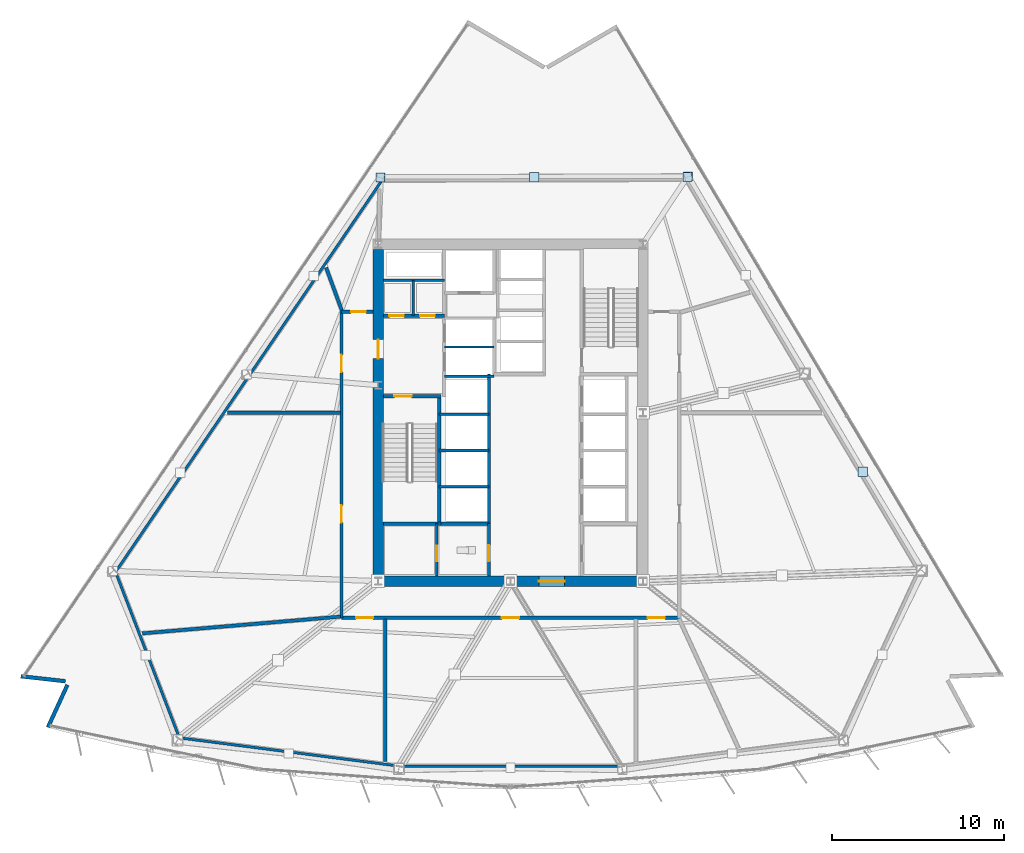
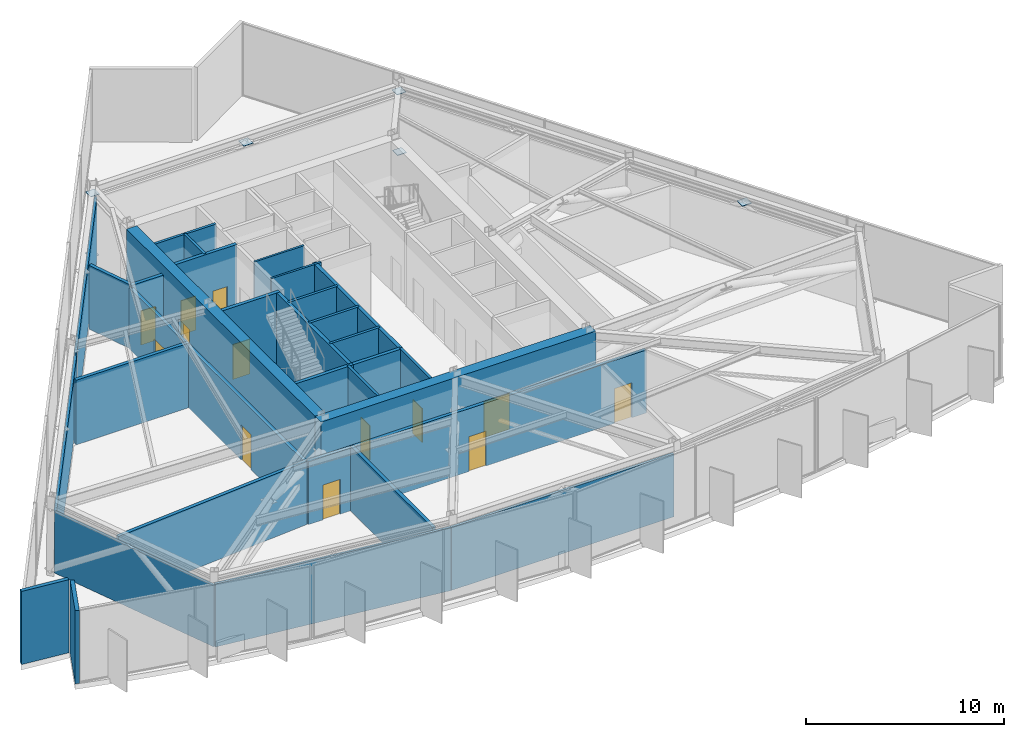
# One storey, part 9 of 16: 31 walls, 13 doors, 6 plates, 13 openings.
"""IFC4 building model written with IfcOpenShell, lengths in metres."""

from ifc_helpers import new_model, si_unit, direction, frame, frame_2d, origin, origin_2d, place, context, subcontext, project, spatial, rectangle, extrude, material, layer, layer_set, type_object, element, fill, save


model = new_model("IFC4")

# Units and contexts
model_context = context("Model", 3, precision=1e-05, world=origin(), true_north=direction((0.0, 1.0)))
body_context = subcontext(model_context, "Body", "Model", "MODEL_VIEW")
ifc_project = project(units=[si_unit("LENGTHUNIT", "METRE"), si_unit("AREAUNIT", "SQUARE_METRE"), si_unit("VOLUMEUNIT", "CUBIC_METRE"), si_unit("PLANEANGLEUNIT", "RADIAN"), si_unit("MASSUNIT", "GRAM", prefix="KILO")], contexts=[model_context])

# Site, building, storey
site_placement = place(None, origin())
site = spatial("IfcSite", under=ifc_project, at=site_placement, CompositionType="ELEMENT")
building_placement = place(site_placement, origin())
building = spatial("IfcBuilding", under=site, at=building_placement, Name="Savorim Split Tower", CompositionType="ELEMENT")
storey_placement = place(building_placement, frame((0.0, 0.0, 73.199951171875)))
storey = spatial("IfcBuildingStorey", under=building, at=storey_placement, Name="L19", CompositionType="ELEMENT", Elevation=73.199951171875)

# Plates
ifc_material_1 = material(Name="Steel S460", Category="steel")
ifc_layer_1 = layer(ifc_material_1, 0.028076171875)
ifc_layer_set_1 = layer_set([ifc_layer_1], Name="PLT-NODE-BN1")
plate_type = type_object("IfcPlateType", Name="PLT-NODE-BN1", PredefinedType="SHEET", material=ifc_layer_set_1)
for number, where, z_axis, x_axis, name in (
    (1, (20.49560546875, -3.035400390625, 4.01611328125), (0.0, 0.0, 1.0), (1.0, 0.0, 0.0), "L19 Belt Truss Apex Gusset Plate BN1-05"),
    (2, (1.37255859375, 14.09765625, 4.01611328125), (0.0, 0.0, 1.0), (1.0, 0.0, 0.0), "L19 Belt Truss Apex Gusset Plate BN1-07"),
):
    element("IfcPlate", number, at=place(storey_placement, frame(where, z_axis=z_axis, x_axis=x_axis)), inside=storey, type_object=plate_type, Name=name, PredefinedType="SHEET", context=body_context, shape_type="SweptSolid", body=[
        extrude(rectangle(XDim=0.550048828125, YDim=0.550048828125, at=origin_2d()), origin(), (0.0, 0.0, 1.0), 0.028076171875),
    ])
for number, where, z_axis, x_axis, name in (
    (3, (10.334228515625, 14.131103515625, 0.26611328125), (0.0, 0.0, 1.0), (1.0, 0.0, 0.0), "L19 Belt Truss Base Gusset Plate BNB-07"),
    (4, (10.30029296875, 14.12353515625, 4.01611328125), (0.0, 0.0, 1.0), (1.0, 0.0, 0.0), "L19 Belt Truss Chord Gusset Plate BCH-07"),
    (5, (-7.578857421875, 14.082275390625, 0.26611328125), (0.0, 0.0, 1.0), (1.0, 0.0, 0.0), "L19 Belt Truss Base Gusset Plate BNB-08"),
    (6, (-7.5537109375, 14.07470703125, 4.01611328125), (0.0, 0.0, 1.0), (1.0, 0.0, 0.0), "L19 Belt Truss Chord Gusset Plate BCH-08"),
):
    element("IfcPlate", number, at=place(storey_placement, frame(where, z_axis=z_axis, x_axis=x_axis)), inside=storey, type_object=plate_type, Name=name, PredefinedType="SHEET", context=body_context, shape_type="SweptSolid", body=[
        extrude(rectangle(XDim=0.52001953125, YDim=0.52001953125, at=origin_2d()), origin(), (0.0, 0.0, 1.0), 0.028076171875),
    ])

# Wall, opening, door
ifc_material_2 = material(Name="Concrete C60/75", Category="concrete")
ifc_layer_2 = layer(ifc_material_2, 0.60009765625)
ifc_layer_set_2 = layer_set([ifc_layer_2], Name="WAL-COR-SH600")
wall_type_1 = type_object("IfcWallType", Name="WAL-COR-SH600", PredefinedType="SHEAR", material=ifc_layer_set_2)
wall_1_placement = place(storey_placement, frame((-8.0, -9.39990234375, 0.0), z_axis=(0.0, 0.0, 1.0), x_axis=(1.0, 0.0, 0.0)))
wall_1 = element("IfcWall", 7, at=wall_1_placement, inside=storey, type_object=wall_type_1, Name="L19 Offset Core South Shear Wall", PredefinedType="SHEAR", context=body_context, shape_type="SweptSolid", body=[
    extrude(rectangle(XDim=16.0, YDim=0.60009765625, at=frame_2d((8.0, 0.0))), origin(), (0.0, 0.0, 1.0), 4.5),
])
opening_1_placement = place(wall_1_placement, frame((9.64990234375, 0.0, 0.0)))
opening_1 = element("IfcOpeningElement", 8, at=opening_1_placement, cuts=wall_1, Name="Opening DI-02", PredefinedType="OPENING", context=body_context, shape_type="SweptSolid", body=[
    extrude(rectangle(XDim=1.5, YDim=2.199951171875, at=frame_2d((0.75, 1.10009765625))), frame((0.0, 0.31005859375, 0.0), z_axis=(0.0, -1.0, 0.0), x_axis=(1.0, 0.0, 0.0)), (0.0, 0.0, 1.0), 0.6201171875),
])
ifc_material_3 = material(Name="Timber Fire Door Leaf", Category="wood")
door_type_1 = type_object("IfcDoorType", Name="DOR-DBL-1500", OperationType="NOTDEFINED", PredefinedType="DOOR", material=ifc_material_3)
door_1_placement = place(opening_1_placement, origin())
door_1 = element("IfcDoor", 9, at=door_1_placement, inside=storey, type_object=door_type_1, Name="DOR-L19-COR-LLOB - L19 Lift Lobby Main Rated Door", OperationType="DOUBLE_DOOR_SINGLE_SWING", OverallHeight=2.199951171875, OverallWidth=1.5, PredefinedType="DOOR", context=body_context, shape_type="SweptSolid", body=[
    extrude(rectangle(XDim=1.5, YDim=2.199951171875, at=frame_2d((0.75, 1.10009765625))), frame((0.0, 0.02490234375, 0.0), z_axis=(0.0, -1.0, 0.0), x_axis=(1.0, 0.0, 0.0)), (0.0, 0.0, 1.0), 0.050048828125),
])
fill(opening_1, door_1)

wall_2_placement = place(storey_placement, frame((-7.699951171875, -9.10009765625, 0.0), z_axis=(0.0, 0.0, 1.0), x_axis=(0.0, 1.0, 0.0)))
wall_2 = element("IfcWall", 10, at=wall_2_placement, inside=storey, type_object=wall_type_1, Name="L19 Offset Core West Shear Wall", PredefinedType="SHEAR", context=body_context, shape_type="SweptSolid", body=[
    extrude(rectangle(XDim=19.0, YDim=0.60009765625, at=frame_2d((9.5, 0.0))), origin(), (0.0, 0.0, 1.0), 4.5),
])
opening_2_placement = place(wall_2_placement, frame((12.64990234375, 0.0, 0.0)))
opening_2 = element("IfcOpeningElement", 11, at=opening_2_placement, cuts=wall_2, Name="Opening DI-03", PredefinedType="OPENING", context=body_context, shape_type="SweptSolid", body=[
    extrude(rectangle(XDim=1.10009765625, YDim=2.14990234375, at=frame_2d((0.550048828125, 1.074951171875))), frame((0.0, 0.31005859375, 0.0), z_axis=(0.0, -1.0, 0.0), x_axis=(1.0, 0.0, 0.0)), (0.0, 0.0, 1.0), 0.6201171875),
])
door_type_2 = type_object("IfcDoorType", Name="DOR-FIR-1100", OperationType="NOTDEFINED", PredefinedType="DOOR", material=ifc_material_3)
door_2_placement = place(opening_2_placement, origin())
door_2 = element("IfcDoor", 12, at=door_2_placement, inside=storey, type_object=door_type_2, Name="DOR-L19-COR-FFLOB - L19 Firefighting Lobby Corridor Door", OperationType="SINGLE_SWING_LEFT", OverallHeight=2.14990234375, OverallWidth=1.10009765625, PredefinedType="DOOR", context=body_context, shape_type="SweptSolid", body=[
    extrude(rectangle(XDim=1.10009765625, YDim=2.14990234375, at=frame_2d((0.550048828125, 1.074951171875))), frame((0.0, 0.02490234375, 0.0), z_axis=(0.0, -1.0, 0.0), x_axis=(1.0, 0.0, 0.0)), (0.0, 0.0, 1.0), 0.050048828125),
])
fill(opening_2, door_2)

# Walls
ifc_material_4 = material(Name="Precast concrete C40/50", Category="concrete")
ifc_layer_3 = layer(ifc_material_4, 0.219970703125)
ifc_layer_set_3 = layer_set([ifc_layer_3], Name="WAL-EXT-CRN220")
wall_type_2 = type_object("IfcWallType", Name="WAL-EXT-CRN220", PredefinedType="SOLIDWALL", material=ifc_layer_set_3)
wall_3_placement = place(storey_placement, frame((-25.89794921875, -15.223388671875, 0.0), z_axis=(0.0, 0.0, 1.0), x_axis=(-0.993827522589, 0.110936267041, 0.0)))
element("IfcWall", 13, at=wall_3_placement, inside=storey, type_object=wall_type_2, Name="L19 Notched Corner Facade Wall SW1", PredefinedType="SOLIDWALL", context=body_context, shape_type="SweptSolid", body=[
    extrude(rectangle(XDim=2.601318359375, YDim=0.219970703125, at=frame_2d((1.30078125, 0.0))), origin(), (0.0, 0.0, 1.0), 4.5),
])
wall_4_placement = place(storey_placement, frame((-26.9111328125, -17.89697265625, 0.0), z_axis=(0.0, 0.0, 1.0), x_axis=(0.417504190978, 0.908674997189, 0.0)))
element("IfcWall", 14, at=wall_4_placement, inside=storey, type_object=wall_type_2, Name="L19 Notched Corner Facade Wall SW", PredefinedType="SOLIDWALL", context=body_context, shape_type="SweptSolid", body=[
    extrude(rectangle(XDim=2.7109375, YDim=0.219970703125, at=frame_2d((1.35546875, 0.0))), origin(), (0.0, 0.0, 1.0), 4.5),
])

# Wall, opening, door
ifc_material_5 = material(Name="Concrete C50/60", Category="concrete")
ifc_layer_4 = layer(ifc_material_5, 0.199951171875)
ifc_layer_set_4 = layer_set([ifc_layer_4], Name="WAL-INT-RC200")
wall_type_3 = type_object("IfcWallType", Name="WAL-INT-RC200", PredefinedType="SOLIDWALL", material=ifc_layer_set_4)
wall_5_placement = place(storey_placement, frame((-7.39990234375, 1.35009765625, 0.0), z_axis=(0.0, 0.0, 1.0), x_axis=(1.0, 0.0, 0.0)))
wall_5 = element("IfcWall", 15, at=wall_5_placement, inside=storey, type_object=wall_type_3, Name="L19 Structural Shaft Wall W-L19-CR01", PredefinedType="SOLIDWALL", context=body_context, shape_type="SweptSolid", body=[
    extrude(rectangle(XDim=3.349853515625, YDim=0.199951171875, at=frame_2d((1.6748046875, 0.0))), origin(), (0.0, 0.0, 1.0), 4.5),
])
opening_3_placement = place(wall_5_placement, frame((0.64990234375, 0.0, 0.0)))
opening_3 = element("IfcOpeningElement", 16, at=opening_3_placement, cuts=wall_5, Name="Opening DI-04", PredefinedType="OPENING", context=body_context, shape_type="SweptSolid", body=[
    extrude(rectangle(XDim=1.0, YDim=2.14990234375, at=frame_2d((0.5, 1.074951171875))), frame((0.0, 0.10986328125, 0.0), z_axis=(0.0, -1.0, 0.0), x_axis=(1.0, 0.0, 0.0)), (0.0, 0.0, 1.0), 0.219970703125),
])
door_type_3 = type_object("IfcDoorType", Name="DOR-FIR-1000", OperationType="NOTDEFINED", PredefinedType="DOOR", material=ifc_material_3)
door_3_placement = place(opening_3_placement, origin())
door_3 = element("IfcDoor", 17, at=door_3_placement, inside=storey, type_object=door_type_3, Name="DR-L19-ST1 - L19 Stair ST-1 Enclosure Door", OperationType="SINGLE_SWING_LEFT", OverallHeight=2.14990234375, OverallWidth=1.0, PredefinedType="DOOR", context=body_context, shape_type="SweptSolid", body=[
    extrude(rectangle(XDim=1.0, YDim=2.14990234375, at=frame_2d((0.5, 1.074951171875))), frame((0.0, 0.02490234375, 0.0), z_axis=(0.0, -1.0, 0.0), x_axis=(1.0, 0.0, 0.0)), (0.0, 0.0, 1.0), 0.050048828125),
])
fill(opening_3, door_3)

# Wall
wall_6_placement = place(storey_placement, frame((-4.14990234375, -5.949951171875, 0.0), z_axis=(0.0, 0.0, 1.0), x_axis=(0.0, 1.0, 0.0)))
element("IfcWall", 18, at=wall_6_placement, inside=storey, type_object=wall_type_3, Name="L19 Structural Shaft Wall W-L19-CR02", PredefinedType="SOLIDWALL", context=body_context, shape_type="SweptSolid", body=[
    extrude(rectangle(XDim=7.199951171875, YDim=0.199951171875, at=frame_2d((3.60009765625, 0.0))), origin(), (0.0, 0.0, 1.0), 4.5),
])

# Wall, openings, doors
wall_7_placement = place(storey_placement, frame((-7.39501953125, 6.050048828125, 0.0), z_axis=(0.0, 0.0, 1.0), x_axis=(1.0, 0.0, 0.0)))
wall_7 = element("IfcWall", 19, at=wall_7_placement, inside=storey, type_object=wall_type_3, Name="L19 Partition W-L19-CR04", PredefinedType="SOLIDWALL", context=body_context, shape_type="SweptSolid", body=[
    extrude(rectangle(XDim=3.544921875, YDim=0.199951171875, at=frame_2d((1.7724609375, 0.0))), origin(), (0.0, 0.0, 1.0), 4.5),
])
opening_4_placement = place(wall_7_placement, frame((0.344970703125, 0.0, 0.0)))
opening_4 = element("IfcOpeningElement", 20, at=opening_4_placement, cuts=wall_7, Name="Opening DI-12", PredefinedType="OPENING", context=body_context, shape_type="SweptSolid", body=[
    extrude(rectangle(XDim=0.85009765625, YDim=2.10009765625, at=frame_2d((0.425048828125, 1.050048828125))), frame((0.0, 0.10986328125, 0.0), z_axis=(0.0, -1.0, 0.0), x_axis=(1.0, 0.0, 0.0)), (0.0, 0.0, 1.0), 0.219970703125),
])
opening_5_placement = place(wall_7_placement, frame((2.14501953125, 0.0, 0.0)))
opening_5 = element("IfcOpeningElement", 21, at=opening_5_placement, cuts=wall_7, Name="Opening DI-12", PredefinedType="OPENING", context=body_context, shape_type="SweptSolid", body=[
    extrude(rectangle(XDim=0.85009765625, YDim=2.10009765625, at=frame_2d((0.425048828125, 1.050048828125))), frame((0.0, 0.10986328125, 0.0), z_axis=(0.0, -1.0, 0.0), x_axis=(1.0, 0.0, 0.0)), (0.0, 0.0, 1.0), 0.219970703125),
])
ifc_material_6 = material(Name="Galvanised Painted Steel Balustrade", Category="steel")
door_type_4 = type_object("IfcDoorType", Name="DOR-RIS-850", OperationType="NOTDEFINED", PredefinedType="DOOR", material=ifc_material_6)
door_4_placement = place(opening_4_placement, origin())
door_4 = element("IfcDoor", 22, at=door_4_placement, inside=storey, type_object=door_type_4, Name="DR-L19-ELR - L19 Electrical Riser Access Door", OperationType="SINGLE_SWING_RIGHT", OverallHeight=2.10009765625, OverallWidth=0.85009765625, PredefinedType="DOOR", context=body_context, shape_type="SweptSolid", body=[
    extrude(rectangle(XDim=0.85009765625, YDim=2.10009765625, at=frame_2d((0.425048828125, 1.050048828125))), frame((0.0, 0.02490234375, 0.0), z_axis=(0.0, -1.0, 0.0), x_axis=(1.0, 0.0, 0.0)), (0.0, 0.0, 1.0), 0.050048828125),
])
fill(opening_4, door_4)
door_5_placement = place(opening_5_placement, origin())
door_5 = element("IfcDoor", 23, at=door_5_placement, inside=storey, type_object=door_type_4, Name="DR-L19-TLR - L19 Telecom Riser Access Door", OperationType="SINGLE_SWING_LEFT", OverallHeight=2.10009765625, OverallWidth=0.85009765625, PredefinedType="DOOR", context=body_context, shape_type="SweptSolid", body=[
    extrude(rectangle(XDim=0.85009765625, YDim=2.10009765625, at=frame_2d((0.425048828125, 1.050048828125))), frame((0.0, 0.02490234375, 0.0), z_axis=(0.0, -1.0, 0.0), x_axis=(1.0, 0.0, 0.0)), (0.0, 0.0, 1.0), 0.050048828125),
])
fill(opening_5, door_5)

# Walls
wall_8_placement = place(storey_placement, frame((-1.25, -6.050048828125, 0.0), z_axis=(0.0, 0.0, 1.0), x_axis=(0.0, 1.0, 0.0)))
element("IfcWall", 24, at=wall_8_placement, inside=storey, type_object=wall_type_3, Name="L19 Partition W-L19-B2FRONT", PredefinedType="SOLIDWALL", context=body_context, shape_type="SweptSolid", body=[
    extrude(rectangle(XDim=8.699951171875, YDim=0.199951171875, at=frame_2d((4.35009765625, 0.0))), origin(), (0.0, 0.0, 1.0), 4.5),
])
wall_9_placement = place(storey_placement, frame((-7.39990234375, -6.050048828125, 0.0), z_axis=(0.0, 0.0, 1.0), x_axis=(1.0, 0.0, 0.0)))
element("IfcWall", 25, at=wall_9_placement, inside=storey, type_object=wall_type_3, Name="L19 Structural Shaft Wall W-L19-KSEP-W", PredefinedType="SOLIDWALL", context=body_context, shape_type="SweptSolid", body=[
    extrude(rectangle(XDim=3.349853515625, YDim=0.199951171875, at=frame_2d((1.6748046875, 0.0))), origin(), (0.0, 0.0, 1.0), 4.5),
])
wall_10_placement = place(storey_placement, frame((-4.0400390625, -6.050048828125, 0.0), z_axis=(0.0, 0.0, 1.0), x_axis=(1.0, 0.0, 0.0)))
element("IfcWall", 26, at=wall_10_placement, inside=storey, type_object=wall_type_3, Name="L19 Partition W-L19-KSEP-W2", PredefinedType="SOLIDWALL", context=body_context, shape_type="SweptSolid", body=[
    extrude(rectangle(XDim=2.7900390625, YDim=0.199951171875, at=frame_2d((1.39501953125, 0.0))), origin(), (0.0, 0.0, 1.0), 4.5),
])

# Wall, openings, doors
wall_11_placement = place(storey_placement, frame((-9.830078125, -11.530029296875, 0.0), z_axis=(0.0, 0.0, 1.0), x_axis=(0.0, 1.0, 0.0)))
wall_11 = element("IfcWall", 27, at=wall_11_placement, inside=storey, type_object=wall_type_3, Name="L19 Partition W-L19-COR-W1", PredefinedType="SOLIDWALL", context=body_context, shape_type="SweptSolid", body=[
    extrude(rectangle(XDim=17.81005859375, YDim=0.199951171875, at=frame_2d((8.905029296875, 0.0))), origin(), (0.0, 0.0, 1.0), 3.759033203125),
])
opening_6_placement = place(wall_11_placement, frame((5.54150390625, 0.0, 0.0)))
opening_6 = element("IfcOpeningElement", 28, at=opening_6_placement, cuts=wall_11, Name="Opening DI-04", PredefinedType="OPENING", context=body_context, shape_type="SweptSolid", body=[
    extrude(rectangle(XDim=1.0, YDim=2.14990234375, at=frame_2d((0.5, 1.074951171875))), frame((0.0, 0.10986328125, 0.0), z_axis=(0.0, -1.0, 0.0), x_axis=(1.0, 0.0, 0.0)), (0.0, 0.0, 1.0), 0.219970703125),
])
opening_7_placement = place(wall_11_placement, frame((14.29345703125, 0.0, 0.0)))
opening_7 = element("IfcOpeningElement", 29, at=opening_7_placement, cuts=wall_11, Name="Opening DI-04", PredefinedType="OPENING", context=body_context, shape_type="SweptSolid", body=[
    extrude(rectangle(XDim=1.0, YDim=2.14990234375, at=frame_2d((0.5, 1.074951171875))), frame((0.0, 0.10986328125, 0.0), z_axis=(0.0, -1.0, 0.0), x_axis=(1.0, 0.0, 0.0)), (0.0, 0.0, 1.0), 0.219970703125),
])
door_6_placement = place(opening_6_placement, origin())
door_6 = element("IfcDoor", 30, at=door_6_placement, inside=storey, type_object=door_type_3, Name="DR-L19-RM01 - L19 AHU Mechanical Plant Room 1 Entry Door", OperationType="SINGLE_SWING_RIGHT", OverallHeight=2.14990234375, OverallWidth=1.0, PredefinedType="DOOR", context=body_context, shape_type="SweptSolid", body=[
    extrude(rectangle(XDim=1.0, YDim=2.14990234375, at=frame_2d((0.5, 1.074951171875))), frame((0.0, 0.02490234375, 0.0), z_axis=(0.0, -1.0, 0.0), x_axis=(1.0, 0.0, 0.0)), (0.0, 0.0, 1.0), 0.050048828125),
])
fill(opening_6, door_6)
door_7_placement = place(opening_7_placement, origin())
door_7 = element("IfcDoor", 31, at=door_7_placement, inside=storey, type_object=door_type_3, Name="DR-L19-RM09 - L19 Refuge Area Central Entry Door", OperationType="SINGLE_SWING_RIGHT", OverallHeight=2.14990234375, OverallWidth=1.0, PredefinedType="DOOR", context=body_context, shape_type="SweptSolid", body=[
    extrude(rectangle(XDim=1.0, YDim=2.14990234375, at=frame_2d((0.5, 1.074951171875))), frame((0.0, 0.02490234375, 0.0), z_axis=(0.0, -1.0, 0.0), x_axis=(1.0, 0.0, 0.0)), (0.0, 0.0, 1.0), 0.050048828125),
])
fill(opening_7, door_7)

# Wall, opening, door
wall_12_placement = place(storey_placement, frame((-9.830078125, 6.280029296875, 0.0), z_axis=(0.0, 0.0, 1.0), x_axis=(1.0, 0.0, 0.0)))
wall_12 = element("IfcWall", 32, at=wall_12_placement, inside=storey, type_object=wall_type_3, Name="L19 Partition W-L19-COR-WN1", PredefinedType="SOLIDWALL", context=body_context, shape_type="SweptSolid", body=[
    extrude(rectangle(XDim=1.830078125, YDim=0.199951171875, at=frame_2d((0.9150390625, 0.0))), origin(), (0.0, 0.0, 1.0), 3.925048828125),
])
opening_8_placement = place(wall_12_placement, frame((0.56494140625, 0.0, 0.0)))
opening_8 = element("IfcOpeningElement", 33, at=opening_8_placement, cuts=wall_12, Name="Opening DI-12", PredefinedType="OPENING", context=body_context, shape_type="SweptSolid", body=[
    extrude(rectangle(XDim=0.85009765625, YDim=2.10009765625, at=frame_2d((0.425048828125, 1.050048828125))), frame((0.0, 0.10986328125, 0.0), z_axis=(0.0, -1.0, 0.0), x_axis=(1.0, 0.0, 0.0)), (0.0, 0.0, 1.0), 0.219970703125),
])
door_8_placement = place(opening_8_placement, origin())
door_8 = element("IfcDoor", 34, at=door_8_placement, inside=storey, type_object=door_type_4, Name="DR-L19-RM08 - L19 Refuge Area South-West Entry Door", OperationType="SINGLE_SWING_LEFT", OverallHeight=2.10009765625, OverallWidth=0.85009765625, PredefinedType="DOOR", context=body_context, shape_type="SweptSolid", body=[
    extrude(rectangle(XDim=0.85009765625, YDim=2.10009765625, at=frame_2d((0.425048828125, 1.050048828125))), frame((0.0, 0.02490234375, 0.0), z_axis=(0.0, -1.0, 0.0), x_axis=(1.0, 0.0, 0.0)), (0.0, 0.0, 1.0), 0.050048828125),
])
fill(opening_8, door_8)

# Wall, openings, doors
wall_13_placement = place(storey_placement, frame((-9.830078125, -11.530029296875, 0.0), z_axis=(0.0, 0.0, 1.0), x_axis=(1.0, 0.0, 0.0)))
wall_13 = element("IfcWall", 35, at=wall_13_placement, inside=storey, type_object=wall_type_3, Name="L19 Partition W-L19-COR-S1", PredefinedType="SOLIDWALL", context=body_context, shape_type="SweptSolid", body=[
    extrude(rectangle(XDim=19.66015625, YDim=0.199951171875, at=frame_2d((9.830078125, 0.0))), origin(), (0.0, 0.0, 1.0), 3.875),
])
opening_9_placement = place(wall_13_placement, frame((0.84521484375, 0.0, 0.0)))
opening_9 = element("IfcOpeningElement", 36, at=opening_9_placement, cuts=wall_13, Name="Opening DI-04", PredefinedType="OPENING", context=body_context, shape_type="SweptSolid", body=[
    extrude(rectangle(XDim=1.0, YDim=2.14990234375, at=frame_2d((0.5, 1.074951171875))), frame((0.0, 0.10986328125, 0.0), z_axis=(0.0, -1.0, 0.0), x_axis=(1.0, 0.0, 0.0)), (0.0, 0.0, 1.0), 0.219970703125),
])
opening_10_placement = place(wall_13_placement, frame((9.330078125, 0.0, 0.0)))
opening_10 = element("IfcOpeningElement", 37, at=opening_10_placement, cuts=wall_13, Name="Opening DI-04", PredefinedType="OPENING", context=body_context, shape_type="SweptSolid", body=[
    extrude(rectangle(XDim=1.0, YDim=2.14990234375, at=frame_2d((0.5, 1.074951171875))), frame((0.0, 0.10986328125, 0.0), z_axis=(0.0, -1.0, 0.0), x_axis=(1.0, 0.0, 0.0)), (0.0, 0.0, 1.0), 0.219970703125),
])
opening_11_placement = place(wall_13_placement, frame((17.81494140625, 0.0, 0.0)))
opening_11 = element("IfcOpeningElement", 38, at=opening_11_placement, cuts=wall_13, Name="Opening DI-04", PredefinedType="OPENING", context=body_context, shape_type="SweptSolid", body=[
    extrude(rectangle(XDim=1.0, YDim=2.14990234375, at=frame_2d((0.5, 1.074951171875))), frame((0.0, 0.10986328125, 0.0), z_axis=(0.0, -1.0, 0.0), x_axis=(1.0, 0.0, 0.0)), (0.0, 0.0, 1.0), 0.219970703125),
])
door_9_placement = place(opening_9_placement, origin())
door_9 = element("IfcDoor", 39, at=door_9_placement, inside=storey, type_object=door_type_3, Name="DR-L19-RM02 - L19 Refuge Area West Entry Door", OperationType="SINGLE_SWING_LEFT", OverallHeight=2.14990234375, OverallWidth=1.0, PredefinedType="DOOR", context=body_context, shape_type="SweptSolid", body=[
    extrude(rectangle(XDim=1.0, YDim=2.14990234375, at=frame_2d((0.5, 1.074951171875))), frame((0.0, 0.02490234375, 0.0), z_axis=(0.0, -1.0, 0.0), x_axis=(1.0, 0.0, 0.0)), (0.0, 0.0, 1.0), 0.050048828125),
])
fill(opening_9, door_9)
door_10_placement = place(opening_10_placement, origin())
door_10 = element("IfcDoor", 40, at=door_10_placement, inside=storey, type_object=door_type_3, Name="DR-L19-RM03 - L19 Chiller Plant Room 1 Entry Door", OperationType="SINGLE_SWING_RIGHT", OverallHeight=2.14990234375, OverallWidth=1.0, PredefinedType="DOOR", context=body_context, shape_type="SweptSolid", body=[
    extrude(rectangle(XDim=1.0, YDim=2.14990234375, at=frame_2d((0.5, 1.074951171875))), frame((0.0, 0.02490234375, 0.0), z_axis=(0.0, -1.0, 0.0), x_axis=(1.0, 0.0, 0.0)), (0.0, 0.0, 1.0), 0.050048828125),
])
fill(opening_10, door_10)
door_11_placement = place(opening_11_placement, origin())
door_11 = element("IfcDoor", 41, at=door_11_placement, inside=storey, type_object=door_type_3, Name="DR-L19-RM04 - L19 Refuge Area North-West Entry Door", OperationType="SINGLE_SWING_LEFT", OverallHeight=2.14990234375, OverallWidth=1.0, PredefinedType="DOOR", context=body_context, shape_type="SweptSolid", body=[
    extrude(rectangle(XDim=1.0, YDim=2.14990234375, at=frame_2d((0.5, 1.074951171875))), frame((0.0, 0.02490234375, 0.0), z_axis=(0.0, -1.0, 0.0), x_axis=(1.0, 0.0, 0.0)), (0.0, 0.0, 1.0), 0.050048828125),
])
fill(opening_11, door_11)

# Walls
wall_14_placement = place(storey_placement, frame((-9.889892578125, 0.39990234375, 0.0), z_axis=(0.0, 0.0, 1.0), x_axis=(-1.0, 0.0, 0.0)))
element("IfcWall", 42, at=wall_14_placement, inside=storey, type_object=wall_type_3, Name="L19 Partition W-L19-PLW01", PredefinedType="SOLIDWALL", context=body_context, shape_type="SweptSolid", body=[
    extrude(rectangle(XDim=6.580322265625, YDim=0.199951171875, at=frame_2d((3.2900390625, 0.0))), origin(), (0.0, 0.0, 1.0), 3.97509765625),
])
wall_15_placement = place(storey_placement, frame((-9.88916015625, -11.463623046875, 0.0), z_axis=(0.0, 0.0, 1.0), x_axis=(-0.996442430759, -0.084276225487, 0.0)))
element("IfcWall", 43, at=wall_15_placement, inside=storey, type_object=wall_type_3, Name="L19 Partition W-L19-PLW02", PredefinedType="SOLIDWALL", context=body_context, shape_type="SweptSolid", body=[
    extrude(rectangle(XDim=11.5732421875, YDim=0.199951171875, at=frame_2d((5.78662109375, 0.0))), origin(), (0.0, 0.0, 1.0), 3.875),
])
wall_16_placement = place(storey_placement, frame((-7.293212890625, -11.590087890625, 0.0), z_axis=(0.0, 0.0, 1.0), x_axis=(0.0, -1.0, 0.0)))
element("IfcWall", 44, at=wall_16_placement, inside=storey, type_object=wall_type_3, Name="L19 Partition W-L19-PLW05", PredefinedType="SOLIDWALL", context=body_context, shape_type="SweptSolid", body=[
    extrude(rectangle(XDim=8.29150390625, YDim=0.199951171875, at=frame_2d((4.145751953125, 0.0))), origin(), (0.0, 0.0, 1.0), 3.97509765625),
])
wall_17_placement = place(storey_placement, frame((-9.803466796875, 6.3291015625, 0.0), z_axis=(0.0, 0.0, 1.0), x_axis=(-0.345160152736, 0.938543802368, 0.0)))
element("IfcWall", 45, at=wall_17_placement, inside=storey, type_object=wall_type_3, Name="L19 Partition W-L19-PLW16", PredefinedType="SOLIDWALL", context=body_context, shape_type="SweptSolid", body=[
    extrude(rectangle(XDim=2.67724609375, YDim=0.199951171875, at=frame_2d((1.338623046875, 0.0))), origin(), (0.0, 0.0, 1.0), 3.925048828125),
])
ifc_material_7 = material(Name="Acoustic Gypsum Partition Board")
ifc_layer_5 = layer(ifc_material_7, 0.1201171875)
ifc_layer_set_5 = layer_set([ifc_layer_5], Name="WAL-PAR-120")
wall_type_4 = type_object("IfcWallType", Name="WAL-PAR-120", PredefinedType="PARTITIONING", material=ifc_layer_set_5)
for number, where, z_axis, x_axis, name in (
    (46, (-3.85009765625, 2.52001953125, 0.0), (0.0, 0.0, 1.0), (1.0, 0.0, 0.0), "L19 Partition W-L19-FFLD0"),
    (47, (-3.85009765625, 4.219970703125, 0.0), (0.0, 0.0, 1.0), (1.0, 0.0, 0.0), "L19 Partition W-L19-FFLD1"),
):
    element("IfcWall", number, at=place(storey_placement, frame(where, z_axis=z_axis, x_axis=x_axis)), inside=storey, type_object=wall_type_4, Name=name, PredefinedType="PARTITIONING", context=body_context, shape_type="SweptSolid", body=[
        extrude(rectangle(XDim=2.900146484375, YDim=0.1201171875, at=frame_2d((1.4501953125, 0.0))), origin(), (0.0, 0.0, 1.0), 4.5),
    ])
ifc_layer_6 = layer(ifc_material_7, 0.14990234375)
ifc_layer_set_6 = layer_set([ifc_layer_6], Name="WAL-PAR-150")
wall_type_5 = type_object("IfcWallType", Name="WAL-PAR-150", PredefinedType="PARTITIONING", material=ifc_layer_set_6)
wall_18_placement = place(storey_placement, frame((-7.39501953125, 8.10009765625, 0.0), z_axis=(0.0, 0.0, 1.0), x_axis=(1.0, 0.0, 0.0)))
element("IfcWall", 48, at=wall_18_placement, inside=storey, type_object=wall_type_5, Name="L19 Partition W-L19-CR05", PredefinedType="PARTITIONING", context=body_context, shape_type="SweptSolid", body=[
    extrude(rectangle(XDim=3.544921875, YDim=0.14990234375, at=frame_2d((1.7724609375, 0.0))), origin(), (0.0, 0.0, 1.0), 4.5),
])
wall_19_placement = place(storey_placement, frame((-5.64990234375, 6.050048828125, 0.0), z_axis=(0.0, 0.0, 1.0), x_axis=(0.0, 1.0, 0.0)))
element("IfcWall", 49, at=wall_19_placement, inside=storey, type_object=wall_type_5, Name="L19 Partition W-L19-CR06", PredefinedType="PARTITIONING", context=body_context, shape_type="SweptSolid", body=[
    extrude(rectangle(XDim=2.050048828125, YDim=0.14990234375, at=frame_2d((1.02490234375, 0.0))), origin(), (0.0, 0.0, 1.0), 4.5),
])
for number, where, z_axis, x_axis, name in (
    (50, (-4.14990234375, -3.89990234375, 0.0), (0.0, 0.0, 1.0), (1.0, 0.0, 0.0), "L19 Partition W-L19-B2DIV1"),
    (51, (-4.14990234375, -1.800048828125, 0.0), (0.0, 0.0, 1.0), (1.0, 0.0, 0.0), "L19 Partition W-L19-B2DIV2"),
    (52, (-4.14990234375, 0.300048828125, 0.0), (0.0, 0.0, 1.0), (1.0, 0.0, 0.0), "L19 Partition W-L19-B2DIV3"),
):
    element("IfcWall", number, at=place(storey_placement, frame(where, z_axis=z_axis, x_axis=x_axis)), inside=storey, type_object=wall_type_5, Name=name, PredefinedType="PARTITIONING", context=body_context, shape_type="SweptSolid", body=[
        extrude(rectangle(XDim=2.89990234375, YDim=0.14990234375, at=frame_2d((1.449951171875, 0.0))), origin(), (0.0, 0.0, 1.0), 4.5),
    ])

# Wall, opening, door
wall_20_placement = place(storey_placement, frame((-1.25, -9.094970703125, 0.0), z_axis=(0.0, 0.0, 1.0), x_axis=(0.0, 1.0, 0.0)))
wall_20 = element("IfcWall", 53, at=wall_20_placement, inside=storey, type_object=wall_type_5, Name="L19 Partition W-L19-KLOB-W", PredefinedType="PARTITIONING", context=body_context, shape_type="SweptSolid", body=[
    extrude(rectangle(XDim=3.044921875, YDim=0.14990234375, at=frame_2d((1.5224609375, 0.0))), origin(), (0.0, 0.0, 1.0), 4.5),
])
opening_12_placement = place(wall_20_placement, frame((0.844970703125, 0.0, 0.0)))
opening_12 = element("IfcOpeningElement", 54, at=opening_12_placement, cuts=wall_20, Name="Opening DI-10", PredefinedType="OPENING", context=body_context, shape_type="SweptSolid", body=[
    extrude(rectangle(XDim=0.949951171875, YDim=2.10009765625, at=frame_2d((0.47509765625, 1.050048828125))), frame((0.0, 0.0849609375, 0.0), z_axis=(0.0, -1.0, 0.0), x_axis=(1.0, 0.0, 0.0)), (0.0, 0.0, 1.0), 0.169921875),
])
ifc_material_8 = material(Name="Oak Veneer Acoustic Door")
door_type_5 = type_object("IfcDoorType", Name="DOR-WC-950", OperationType="NOTDEFINED", PredefinedType="DOOR", material=ifc_material_8)
door_12_placement = place(opening_12_placement, origin())
door_12 = element("IfcDoor", 55, at=door_12_placement, inside=storey, type_object=door_type_5, Name="DR-L19-K1WC - L19 Core Accessible WC Door", OperationType="SINGLE_SWING_LEFT", OverallHeight=2.10009765625, OverallWidth=0.949951171875, PredefinedType="DOOR", context=body_context, shape_type="SweptSolid", body=[
    extrude(rectangle(XDim=0.949951171875, YDim=2.10009765625, at=frame_2d((0.47509765625, 1.050048828125))), frame((0.0, 0.02490234375, 0.0), z_axis=(0.0, -1.0, 0.0), x_axis=(1.0, 0.0, 0.0)), (0.0, 0.0, 1.0), 0.050048828125),
])
fill(opening_12, door_12)

wall_21_placement = place(storey_placement, frame((-4.300048828125, -9.094970703125, 0.0), z_axis=(0.0, 0.0, 1.0), x_axis=(0.0, 1.0, 0.0)))
wall_21 = element("IfcWall", 56, at=wall_21_placement, inside=storey, type_object=wall_type_5, Name="L19 Partition W-L19-K1W", PredefinedType="PARTITIONING", context=body_context, shape_type="SweptSolid", body=[
    extrude(rectangle(XDim=3.044921875, YDim=0.14990234375, at=frame_2d((1.5224609375, 0.0))), origin(), (0.0, 0.0, 1.0), 4.5),
])
opening_13_placement = place(wall_21_placement, frame((0.844970703125, 0.0, 0.0)))
opening_13 = element("IfcOpeningElement", 57, at=opening_13_placement, cuts=wall_21, Name="Opening DI-06", PredefinedType="OPENING", context=body_context, shape_type="SweptSolid", body=[
    extrude(rectangle(XDim=0.89990234375, YDim=2.10009765625, at=frame_2d((0.449951171875, 1.050048828125))), frame((0.0, 0.0849609375, 0.0), z_axis=(0.0, -1.0, 0.0), x_axis=(1.0, 0.0, 0.0)), (0.0, 0.0, 1.0), 0.169921875),
])
door_type_6 = type_object("IfcDoorType", Name="DOR-FIR-900", OperationType="NOTDEFINED", PredefinedType="DOOR", material=ifc_material_3)
door_13_placement = place(opening_13_placement, origin())
door_13 = element("IfcDoor", 58, at=door_13_placement, inside=storey, type_object=door_type_6, Name="DR-L19-K1HK - L19 Housekeeping Store Door", OperationType="SINGLE_SWING_RIGHT", OverallHeight=2.10009765625, OverallWidth=0.89990234375, PredefinedType="DOOR", context=body_context, shape_type="SweptSolid", body=[
    extrude(rectangle(XDim=0.89990234375, YDim=2.10009765625, at=frame_2d((0.449951171875, 1.050048828125))), frame((0.0, 0.02490234375, 0.0), z_axis=(0.0, -1.0, 0.0), x_axis=(1.0, 0.0, 0.0)), (0.0, 0.0, 1.0), 0.050048828125),
])
fill(opening_13, door_13)

# Walls
wall_22_placement = place(storey_placement, frame((-22.97802734375, -8.864013671875, 0.0), z_axis=(0.0, 0.0, 1.0), x_axis=(0.562466083544, 0.826820358278, 0.0)))
element("IfcWall", 59, at=wall_22_placement, inside=storey, type_object=wall_type_5, Name="L19 Partition W-L19-PBLT01", PredefinedType="PARTITIONING", context=body_context, shape_type="SweptSolid", body=[
    extrude(rectangle(XDim=13.77734375, YDim=0.14990234375, at=frame_2d((6.888671875, 0.0))), origin(), (0.0, 0.0, 1.0), 3.759033203125),
])
wall_23_placement = place(storey_placement, frame((-15.228759765625, 2.52734375, 0.0), z_axis=(0.0, 0.0, 1.0), x_axis=(0.562470451541, 0.826817386817, 0.0)))
element("IfcWall", 60, at=wall_23_placement, inside=storey, type_object=wall_type_5, Name="L19 Partition W-L19-PBLT02", PredefinedType="PARTITIONING", context=body_context, shape_type="SweptSolid", body=[
    extrude(rectangle(XDim=13.77685546875, YDim=0.14990234375, at=frame_2d((6.888427734375, 0.0))), origin(), (0.0, 0.0, 1.0), 3.875),
])
wall_24_placement = place(storey_placement, frame((6.485595703125, -20.15673828125, 0.0), z_axis=(0.0, 0.0, 1.0), x_axis=(-1.0, 0.0, 0.0)))
element("IfcWall", 61, at=wall_24_placement, inside=storey, type_object=wall_type_5, Name="L19 Partition W-L19-PBLT08", PredefinedType="PARTITIONING", context=body_context, shape_type="SweptSolid", body=[
    extrude(rectangle(XDim=12.97119140625, YDim=0.14990234375, at=frame_2d((6.485595703125, 0.0))), origin(), (0.0, 0.0, 1.0), 3.875),
])
wall_25_placement = place(storey_placement, frame((-6.485595703125, -20.15673828125, 0.0), z_axis=(0.0, 0.0, 1.0), x_axis=(-0.991859037986, 0.127340679929, 0.0)))
element("IfcWall", 62, at=wall_25_placement, inside=storey, type_object=wall_type_5, Name="L19 Partition W-L19-PBLT09", PredefinedType="PARTITIONING", context=body_context, shape_type="SweptSolid", body=[
    extrude(rectangle(XDim=12.8857421875, YDim=0.14990234375, at=frame_2d((6.44287109375, 0.0))), origin(), (0.0, 0.0, 1.0), 3.875),
])
wall_26_placement = place(storey_placement, frame((-19.266357421875, -18.515869140625, 0.0), z_axis=(0.0, 0.0, 1.0), x_axis=(-0.358930035046, 0.933364467902, 0.0)))
element("IfcWall", 63, at=wall_26_placement, inside=storey, type_object=wall_type_5, Name="L19 Partition W-L19-PBLT10", PredefinedType="PARTITIONING", context=body_context, shape_type="SweptSolid", body=[
    extrude(rectangle(XDim=10.3408203125, YDim=0.14990234375, at=frame_2d((5.17041015625, 0.0))), origin(), (0.0, 0.0, 1.0), 3.759033203125),
])

save(model, "model.ifc")
